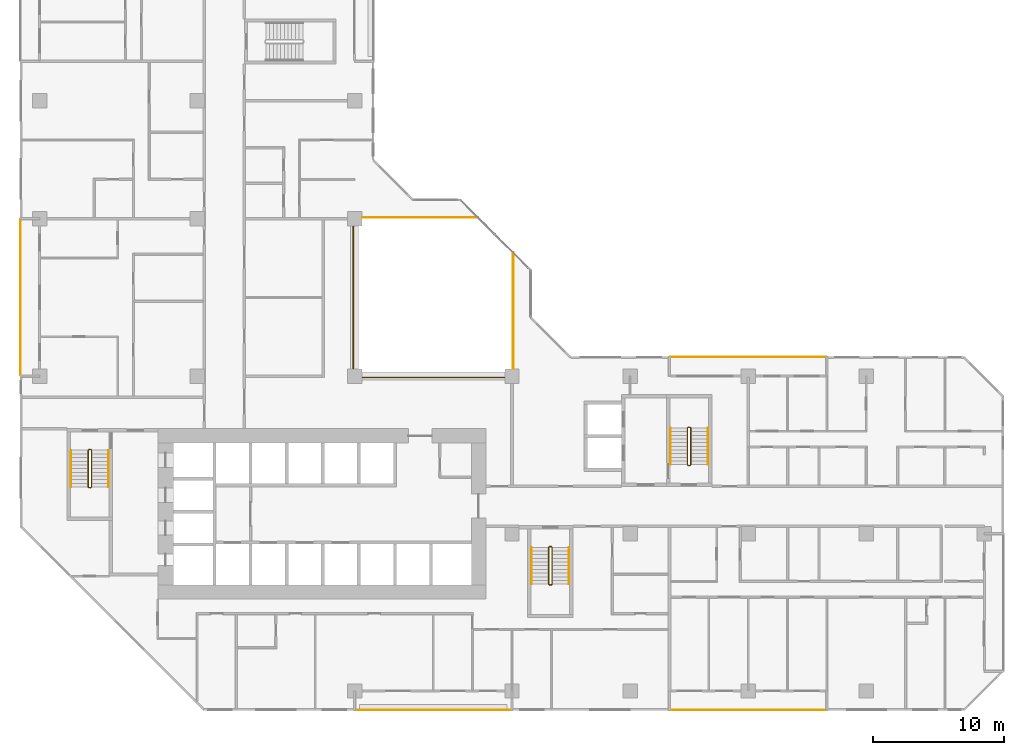
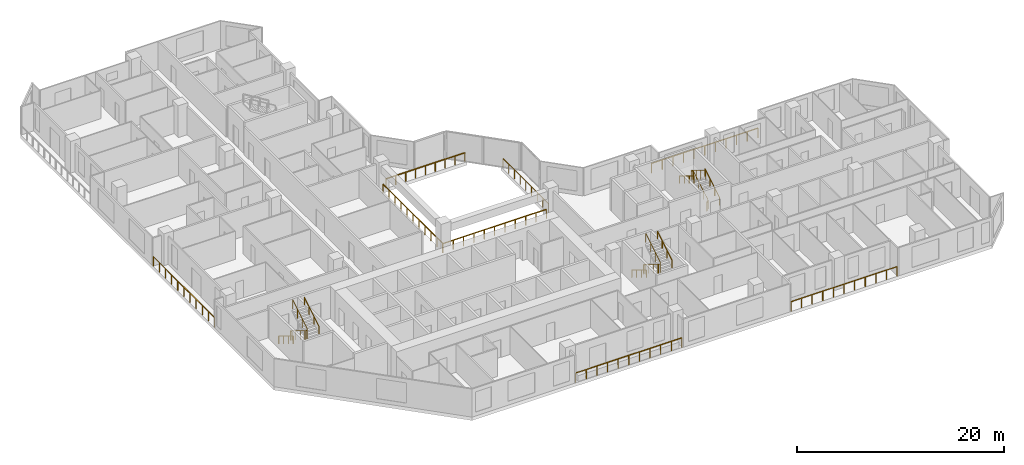
# One storey, part 15 of 16: 16 railings.
"""IFC4 building model written with IfcOpenShell, lengths in metres."""

from ifc_helpers import new_model, si_unit, direction, frame, origin, origin_2d, place, context, subcontext, project, spatial, rectangle, extrude, material, type_object, element, save


model = new_model("IFC4")

# Units and contexts
model_context = context("Model", 3, precision=1e-05, world=origin(), true_north=direction((0.0, 1.0)))
body_context = subcontext(model_context, "Body", "Model", "MODEL_VIEW")
ifc_project = project(units=[si_unit("LENGTHUNIT", "METRE"), si_unit("AREAUNIT", "SQUARE_METRE"), si_unit("VOLUMEUNIT", "CUBIC_METRE"), si_unit("PLANEANGLEUNIT", "RADIAN"), si_unit("MASSUNIT", "GRAM", prefix="KILO")], contexts=[model_context])

# Site, building, storey
site_placement = place(None, origin())
site = spatial("IfcSite", under=ifc_project, at=site_placement, CompositionType="ELEMENT")
building_placement = place(site_placement, origin())
building = spatial("IfcBuilding", under=site, at=building_placement, Name="Chenar Terraces", CompositionType="ELEMENT")
storey_placement = place(building_placement, frame((0.0, 0.0, 82.64990234375)))
storey = spatial("IfcBuildingStorey", under=building, at=storey_placement, Name="L18", CompositionType="ELEMENT", Elevation=82.64990234375)

# Railings
ifc_material_1 = material(Name="Powder-coated steel", Category="steel")
railing_type_1 = type_object("IfcRailingType", Name="Guard 1100 steel rail with glass infill", PredefinedType="GUARDRAIL", material=ifc_material_1)
railing_1_placement = place(storey_placement, frame((23.89990234375, 35.449951171875, 0.0)))
element("IfcRailing", 1, at=railing_1_placement, inside=storey, type_object=railing_type_1, Name="Guard L18-1", PredefinedType="GUARDRAIL", context=body_context, shape_type="SweptSolid", body=[
    extrude(rectangle(XDim=0.06005859375, YDim=0.06005859375, at=origin_2d()), frame((0.0, 0.0, 1.070068359375), z_axis=(0.0, -1.0, 0.0), x_axis=(1.0, 0.0, 0.0)), (0.0, 0.0, 1.0), 11.550048828125),
    extrude(rectangle(XDim=0.06005859375, YDim=0.06005859375, at=origin_2d()), frame((0.0, -11.550048828125, 1.070068359375), z_axis=(1.0, 0.0, 0.0), x_axis=(0.0, 1.0, 0.0)), (0.0, 0.0, 1.0), 11.550048828125),
    extrude(rectangle(XDim=0.050048828125, YDim=0.050048828125, at=origin_2d()), origin(), (0.0, 0.0, 1.0), 1.0400390625),
    extrude(rectangle(XDim=0.050048828125, YDim=0.050048828125, at=origin_2d()), frame((0.0, -1.155029296875, 0.0)), (0.0, 0.0, 1.0), 1.0400390625),
    extrude(rectangle(XDim=0.050048828125, YDim=0.050048828125, at=origin_2d()), frame((0.0, -2.31005859375, 0.0)), (0.0, 0.0, 1.0), 1.0400390625),
    extrude(rectangle(XDim=0.050048828125, YDim=0.050048828125, at=origin_2d()), frame((0.0, -3.465087890625, 0.0)), (0.0, 0.0, 1.0), 1.0400390625),
    extrude(rectangle(XDim=0.050048828125, YDim=0.050048828125, at=origin_2d()), frame((0.0, -4.6201171875, 0.0)), (0.0, 0.0, 1.0), 1.0400390625),
    extrude(rectangle(XDim=0.050048828125, YDim=0.050048828125, at=origin_2d()), frame((0.0, -5.77490234375, 0.0)), (0.0, 0.0, 1.0), 1.0400390625),
    extrude(rectangle(XDim=0.050048828125, YDim=0.050048828125, at=origin_2d()), frame((0.0, -6.929931640625, 0.0)), (0.0, 0.0, 1.0), 1.0400390625),
    extrude(rectangle(XDim=0.050048828125, YDim=0.050048828125, at=origin_2d()), frame((0.0, -8.0849609375, 0.0)), (0.0, 0.0, 1.0), 1.0400390625),
    extrude(rectangle(XDim=0.050048828125, YDim=0.050048828125, at=origin_2d()), frame((0.0, -9.239990234375, 0.0)), (0.0, 0.0, 1.0), 1.0400390625),
    extrude(rectangle(XDim=0.050048828125, YDim=0.050048828125, at=origin_2d()), frame((0.0, -10.39501953125, 0.0)), (0.0, 0.0, 1.0), 1.0400390625),
    extrude(rectangle(XDim=0.050048828125, YDim=0.050048828125, at=origin_2d()), frame((0.0, -11.550048828125, 0.0)), (0.0, 0.0, 1.0), 1.0400390625),
    extrude(rectangle(XDim=0.050048828125, YDim=0.050048828125, at=origin_2d()), frame((1.155029296875, -11.550048828125, 0.0)), (0.0, 0.0, 1.0), 1.0400390625),
    extrude(rectangle(XDim=0.050048828125, YDim=0.050048828125, at=origin_2d()), frame((2.31005859375, -11.550048828125, 0.0)), (0.0, 0.0, 1.0), 1.0400390625),
    extrude(rectangle(XDim=0.050048828125, YDim=0.050048828125, at=origin_2d()), frame((3.465087890625, -11.550048828125, 0.0)), (0.0, 0.0, 1.0), 1.0400390625),
    extrude(rectangle(XDim=0.050048828125, YDim=0.050048828125, at=origin_2d()), frame((4.6201171875, -11.550048828125, 0.0)), (0.0, 0.0, 1.0), 1.0400390625),
    extrude(rectangle(XDim=0.050048828125, YDim=0.050048828125, at=origin_2d()), frame((5.77490234375, -11.550048828125, 0.0)), (0.0, 0.0, 1.0), 1.0400390625),
    extrude(rectangle(XDim=0.050048828125, YDim=0.050048828125, at=origin_2d()), frame((6.929931640625, -11.550048828125, 0.0)), (0.0, 0.0, 1.0), 1.0400390625),
    extrude(rectangle(XDim=0.050048828125, YDim=0.050048828125, at=origin_2d()), frame((8.0849609375, -11.550048828125, 0.0)), (0.0, 0.0, 1.0), 1.0400390625),
    extrude(rectangle(XDim=0.050048828125, YDim=0.050048828125, at=origin_2d()), frame((9.239990234375, -11.550048828125, 0.0)), (0.0, 0.0, 1.0), 1.0400390625),
    extrude(rectangle(XDim=0.050048828125, YDim=0.050048828125, at=origin_2d()), frame((10.39501953125, -11.550048828125, 0.0)), (0.0, 0.0, 1.0), 1.0400390625),
    extrude(rectangle(XDim=0.050048828125, YDim=0.050048828125, at=origin_2d()), frame((11.550048828125, -11.550048828125, 0.0)), (0.0, 0.0, 1.0), 1.0400390625),
])
railing_2_placement = place(storey_placement, frame((24.60009765625, 36.10009765625, 0.0)))
element("IfcRailing", 2, at=railing_2_placement, inside=storey, type_object=railing_type_1, Name="Guard L18-2", PredefinedType="GUARDRAIL", context=body_context, shape_type="SweptSolid", body=[
    extrude(rectangle(XDim=0.06005859375, YDim=0.06005859375, at=origin_2d()), frame((0.0, 0.0, 1.070068359375), z_axis=(1.0, 0.0, 0.0), x_axis=(0.0, 1.0, 0.0)), (0.0, 0.0, 1.0), 8.7998046875),
    extrude(rectangle(XDim=0.050048828125, YDim=0.050048828125, at=origin_2d()), origin(), (0.0, 0.0, 1.0), 1.0400390625),
    extrude(rectangle(XDim=0.050048828125, YDim=0.050048828125, at=origin_2d()), frame((1.10009765625, 0.0, 0.0)), (0.0, 0.0, 1.0), 1.0400390625),
    extrude(rectangle(XDim=0.050048828125, YDim=0.050048828125, at=origin_2d()), frame((2.199951171875, 0.0, 0.0)), (0.0, 0.0, 1.0), 1.0400390625),
    extrude(rectangle(XDim=0.050048828125, YDim=0.050048828125, at=origin_2d()), frame((3.2998046875, 0.0, 0.0)), (0.0, 0.0, 1.0), 1.0400390625),
    extrude(rectangle(XDim=0.050048828125, YDim=0.050048828125, at=origin_2d()), frame((4.39990234375, 0.0, 0.0)), (0.0, 0.0, 1.0), 1.0400390625),
    extrude(rectangle(XDim=0.050048828125, YDim=0.050048828125, at=origin_2d()), frame((5.5, 0.0, 0.0)), (0.0, 0.0, 1.0), 1.0400390625),
    extrude(rectangle(XDim=0.050048828125, YDim=0.050048828125, at=origin_2d()), frame((6.599853515625, 0.0, 0.0)), (0.0, 0.0, 1.0), 1.0400390625),
    extrude(rectangle(XDim=0.050048828125, YDim=0.050048828125, at=origin_2d()), frame((7.69970703125, 0.0, 0.0)), (0.0, 0.0, 1.0), 1.0400390625),
    extrude(rectangle(XDim=0.050048828125, YDim=0.050048828125, at=origin_2d()), frame((8.7998046875, 0.0, 0.0)), (0.0, 0.0, 1.0), 1.0400390625),
])
railing_3_placement = place(storey_placement, frame((36.10009765625, 24.60009765625, 0.0)))
element("IfcRailing", 3, at=railing_3_placement, inside=storey, type_object=railing_type_1, Name="Guard L18-3", PredefinedType="GUARDRAIL", context=body_context, shape_type="SweptSolid", body=[
    extrude(rectangle(XDim=0.06005859375, YDim=0.06005859375, at=origin_2d()), frame((0.0, 0.0, 1.070068359375), z_axis=(0.0, 1.0, 0.0), x_axis=(-1.0, 0.0, 0.0)), (0.0, 0.0, 1.0), 8.7998046875),
    extrude(rectangle(XDim=0.050048828125, YDim=0.050048828125, at=origin_2d()), origin(), (0.0, 0.0, 1.0), 1.0400390625),
    extrude(rectangle(XDim=0.050048828125, YDim=0.050048828125, at=origin_2d()), frame((0.0, 1.10009765625, 0.0)), (0.0, 0.0, 1.0), 1.0400390625),
    extrude(rectangle(XDim=0.050048828125, YDim=0.050048828125, at=origin_2d()), frame((0.0, 2.199951171875, 0.0)), (0.0, 0.0, 1.0), 1.0400390625),
    extrude(rectangle(XDim=0.050048828125, YDim=0.050048828125, at=origin_2d()), frame((0.0, 3.2998046875, 0.0)), (0.0, 0.0, 1.0), 1.0400390625),
    extrude(rectangle(XDim=0.050048828125, YDim=0.050048828125, at=origin_2d()), frame((0.0, 4.39990234375, 0.0)), (0.0, 0.0, 1.0), 1.0400390625),
    extrude(rectangle(XDim=0.050048828125, YDim=0.050048828125, at=origin_2d()), frame((0.0, 5.5, 0.0)), (0.0, 0.0, 1.0), 1.0400390625),
    extrude(rectangle(XDim=0.050048828125, YDim=0.050048828125, at=origin_2d()), frame((0.0, 6.599853515625, 0.0)), (0.0, 0.0, 1.0), 1.0400390625),
    extrude(rectangle(XDim=0.050048828125, YDim=0.050048828125, at=origin_2d()), frame((0.0, 7.69970703125, 0.0)), (0.0, 0.0, 1.0), 1.0400390625),
    extrude(rectangle(XDim=0.050048828125, YDim=0.050048828125, at=origin_2d()), frame((0.0, 8.7998046875, 0.0)), (0.0, 0.0, 1.0), 1.0400390625),
])
ifc_material_2 = material(Name="Stainless steel and glass", Category="steel")
railing_type_2 = type_object("IfcRailingType", Name="Loggia guard 1150", PredefinedType="GUARDRAIL", material=ifc_material_2)
railing_4_placement = place(storey_placement, frame((59.925048828125, 25.449951171875, 0.0)))
element("IfcRailing", 4, at=railing_4_placement, inside=storey, type_object=railing_type_2, Name="Loggia guard", PredefinedType="GUARDRAIL", context=body_context, shape_type="SweptSolid", body=[
    extrude(rectangle(XDim=0.048095703125, YDim=0.048095703125, at=origin_2d()), frame((0.0, 0.0, 1.1259765625), z_axis=(-1.0, 0.0, 0.0), x_axis=(0.0, -1.0, 0.0)), (0.0, 0.0, 1.0), 11.85009765625),
    extrude(rectangle(XDim=0.0419921875, YDim=0.0419921875, at=origin_2d()), origin(), (0.0, 0.0, 1.0), 1.101806640625),
    extrude(rectangle(XDim=0.0419921875, YDim=0.0419921875, at=origin_2d()), frame((-1.18505859375, 0.0, 0.0)), (0.0, 0.0, 1.0), 1.101806640625),
    extrude(rectangle(XDim=0.0419921875, YDim=0.0419921875, at=origin_2d()), frame((-2.3701171875, 0.0, 0.0)), (0.0, 0.0, 1.0), 1.101806640625),
    extrude(rectangle(XDim=0.0419921875, YDim=0.0419921875, at=origin_2d()), frame((-3.554931640625, 0.0, 0.0)), (0.0, 0.0, 1.0), 1.101806640625),
    extrude(rectangle(XDim=0.0419921875, YDim=0.0419921875, at=origin_2d()), frame((-4.739990234375, 0.0, 0.0)), (0.0, 0.0, 1.0), 1.101806640625),
    extrude(rectangle(XDim=0.0419921875, YDim=0.0419921875, at=origin_2d()), frame((-5.925048828125, 0.0, 0.0)), (0.0, 0.0, 1.0), 1.101806640625),
    extrude(rectangle(XDim=0.0419921875, YDim=0.0419921875, at=origin_2d()), frame((-7.110107421875, 0.0, 0.0)), (0.0, 0.0, 1.0), 1.101806640625),
    extrude(rectangle(XDim=0.0419921875, YDim=0.0419921875, at=origin_2d()), frame((-8.295166015625, 0.0, 0.0)), (0.0, 0.0, 1.0), 1.101806640625),
    extrude(rectangle(XDim=0.0419921875, YDim=0.0419921875, at=origin_2d()), frame((-9.47998046875, 0.0, 0.0)), (0.0, 0.0, 1.0), 1.101806640625),
    extrude(rectangle(XDim=0.0419921875, YDim=0.0419921875, at=origin_2d()), frame((-10.6650390625, 0.0, 0.0)), (0.0, 0.0, 1.0), 1.101806640625),
    extrude(rectangle(XDim=0.0419921875, YDim=0.0419921875, at=origin_2d()), frame((-11.85009765625, 0.0, 0.0)), (0.0, 0.0, 1.0), 1.101806640625),
])
railing_5_placement = place(storey_placement, frame((24.074951171875, -1.449951171875, 0.0)))
element("IfcRailing", 5, at=railing_5_placement, inside=storey, type_object=railing_type_2, Name="Loggia guard", PredefinedType="GUARDRAIL", context=body_context, shape_type="SweptSolid", body=[
    extrude(rectangle(XDim=0.048095703125, YDim=0.048095703125, at=origin_2d()), frame((0.0, 0.0, 1.1259765625), z_axis=(1.0, 0.0, 0.0), x_axis=(0.0, 1.0, 0.0)), (0.0, 0.0, 1.0), 11.85009765625),
    extrude(rectangle(XDim=0.0419921875, YDim=0.0419921875, at=origin_2d()), origin(), (0.0, 0.0, 1.0), 1.101806640625),
    extrude(rectangle(XDim=0.0419921875, YDim=0.0419921875, at=origin_2d()), frame((1.18505859375, 0.0, 0.0)), (0.0, 0.0, 1.0), 1.101806640625),
    extrude(rectangle(XDim=0.0419921875, YDim=0.0419921875, at=origin_2d()), frame((2.3701171875, 0.0, 0.0)), (0.0, 0.0, 1.0), 1.101806640625),
    extrude(rectangle(XDim=0.0419921875, YDim=0.0419921875, at=origin_2d()), frame((3.554931640625, 0.0, 0.0)), (0.0, 0.0, 1.0), 1.101806640625),
    extrude(rectangle(XDim=0.0419921875, YDim=0.0419921875, at=origin_2d()), frame((4.739990234375, 0.0, 0.0)), (0.0, 0.0, 1.0), 1.101806640625),
    extrude(rectangle(XDim=0.0419921875, YDim=0.0419921875, at=origin_2d()), frame((5.925048828125, 0.0, 0.0)), (0.0, 0.0, 1.0), 1.101806640625),
    extrude(rectangle(XDim=0.0419921875, YDim=0.0419921875, at=origin_2d()), frame((7.110107421875, 0.0, 0.0)), (0.0, 0.0, 1.0), 1.101806640625),
    extrude(rectangle(XDim=0.0419921875, YDim=0.0419921875, at=origin_2d()), frame((8.295166015625, 0.0, 0.0)), (0.0, 0.0, 1.0), 1.101806640625),
    extrude(rectangle(XDim=0.0419921875, YDim=0.0419921875, at=origin_2d()), frame((9.47998046875, 0.0, 0.0)), (0.0, 0.0, 1.0), 1.101806640625),
    extrude(rectangle(XDim=0.0419921875, YDim=0.0419921875, at=origin_2d()), frame((10.6650390625, 0.0, 0.0)), (0.0, 0.0, 1.0), 1.101806640625),
    extrude(rectangle(XDim=0.0419921875, YDim=0.0419921875, at=origin_2d()), frame((11.85009765625, 0.0, 0.0)), (0.0, 0.0, 1.0), 1.101806640625),
])
railing_6_placement = place(storey_placement, frame((48.074951171875, -1.449951171875, 0.0)))
element("IfcRailing", 6, at=railing_6_placement, inside=storey, type_object=railing_type_2, Name="Loggia guard", PredefinedType="GUARDRAIL", context=body_context, shape_type="SweptSolid", body=[
    extrude(rectangle(XDim=0.048095703125, YDim=0.048095703125, at=origin_2d()), frame((0.0, 0.0, 1.1259765625), z_axis=(1.0, 0.0, 0.0), x_axis=(0.0, 1.0, 0.0)), (0.0, 0.0, 1.0), 11.85009765625),
    extrude(rectangle(XDim=0.0419921875, YDim=0.0419921875, at=origin_2d()), origin(), (0.0, 0.0, 1.0), 1.101806640625),
    extrude(rectangle(XDim=0.0419921875, YDim=0.0419921875, at=origin_2d()), frame((1.18505859375, 0.0, 0.0)), (0.0, 0.0, 1.0), 1.101806640625),
    extrude(rectangle(XDim=0.0419921875, YDim=0.0419921875, at=origin_2d()), frame((2.3701171875, 0.0, 0.0)), (0.0, 0.0, 1.0), 1.101806640625),
    extrude(rectangle(XDim=0.0419921875, YDim=0.0419921875, at=origin_2d()), frame((3.554931640625, 0.0, 0.0)), (0.0, 0.0, 1.0), 1.101806640625),
    extrude(rectangle(XDim=0.0419921875, YDim=0.0419921875, at=origin_2d()), frame((4.739990234375, 0.0, 0.0)), (0.0, 0.0, 1.0), 1.101806640625),
    extrude(rectangle(XDim=0.0419921875, YDim=0.0419921875, at=origin_2d()), frame((5.925048828125, 0.0, 0.0)), (0.0, 0.0, 1.0), 1.101806640625),
    extrude(rectangle(XDim=0.0419921875, YDim=0.0419921875, at=origin_2d()), frame((7.110107421875, 0.0, 0.0)), (0.0, 0.0, 1.0), 1.101806640625),
    extrude(rectangle(XDim=0.0419921875, YDim=0.0419921875, at=origin_2d()), frame((8.295166015625, 0.0, 0.0)), (0.0, 0.0, 1.0), 1.101806640625),
    extrude(rectangle(XDim=0.0419921875, YDim=0.0419921875, at=origin_2d()), frame((9.47998046875, 0.0, 0.0)), (0.0, 0.0, 1.0), 1.101806640625),
    extrude(rectangle(XDim=0.0419921875, YDim=0.0419921875, at=origin_2d()), frame((10.6650390625, 0.0, 0.0)), (0.0, 0.0, 1.0), 1.101806640625),
    extrude(rectangle(XDim=0.0419921875, YDim=0.0419921875, at=origin_2d()), frame((11.85009765625, 0.0, 0.0)), (0.0, 0.0, 1.0), 1.101806640625),
])
railing_7_placement = place(storey_placement, frame((-1.449951171875, 35.925048828125, 0.0)))
element("IfcRailing", 7, at=railing_7_placement, inside=storey, type_object=railing_type_2, Name="Loggia guard", PredefinedType="GUARDRAIL", context=body_context, shape_type="SweptSolid", body=[
    extrude(rectangle(XDim=0.048095703125, YDim=0.048095703125, at=origin_2d()), frame((0.0, 0.0, 1.1259765625), z_axis=(0.0, -1.0, 0.0), x_axis=(1.0, 0.0, 0.0)), (0.0, 0.0, 1.0), 11.85009765625),
    extrude(rectangle(XDim=0.0419921875, YDim=0.0419921875, at=origin_2d()), origin(), (0.0, 0.0, 1.0), 1.101806640625),
    extrude(rectangle(XDim=0.0419921875, YDim=0.0419921875, at=origin_2d()), frame((0.0, -1.18505859375, 0.0)), (0.0, 0.0, 1.0), 1.101806640625),
    extrude(rectangle(XDim=0.0419921875, YDim=0.0419921875, at=origin_2d()), frame((0.0, -2.3701171875, 0.0)), (0.0, 0.0, 1.0), 1.101806640625),
    extrude(rectangle(XDim=0.0419921875, YDim=0.0419921875, at=origin_2d()), frame((0.0, -3.554931640625, 0.0)), (0.0, 0.0, 1.0), 1.101806640625),
    extrude(rectangle(XDim=0.0419921875, YDim=0.0419921875, at=origin_2d()), frame((0.0, -4.739990234375, 0.0)), (0.0, 0.0, 1.0), 1.101806640625),
    extrude(rectangle(XDim=0.0419921875, YDim=0.0419921875, at=origin_2d()), frame((0.0, -5.925048828125, 0.0)), (0.0, 0.0, 1.0), 1.101806640625),
    extrude(rectangle(XDim=0.0419921875, YDim=0.0419921875, at=origin_2d()), frame((0.0, -7.110107421875, 0.0)), (0.0, 0.0, 1.0), 1.101806640625),
    extrude(rectangle(XDim=0.0419921875, YDim=0.0419921875, at=origin_2d()), frame((0.0, -8.295166015625, 0.0)), (0.0, 0.0, 1.0), 1.101806640625),
    extrude(rectangle(XDim=0.0419921875, YDim=0.0419921875, at=origin_2d()), frame((0.0, -9.47998046875, 0.0)), (0.0, 0.0, 1.0), 1.101806640625),
    extrude(rectangle(XDim=0.0419921875, YDim=0.0419921875, at=origin_2d()), frame((0.0, -10.6650390625, 0.0)), (0.0, 0.0, 1.0), 1.101806640625),
    extrude(rectangle(XDim=0.0419921875, YDim=0.0419921875, at=origin_2d()), frame((0.0, -11.85009765625, 0.0)), (0.0, 0.0, 1.0), 1.101806640625),
])
ifc_material_3 = material(Name="Powder-coated steel", Category="steel")
railing_type_3 = type_object("IfcRailingType", Name="Stair guard 1100", PredefinedType="GUARDRAIL", material=ifc_material_3)
railing_8_placement = place(storey_placement, frame((3.949951171875, 18.35009765625, 3.75)))
element("IfcRailing", 8, at=railing_8_placement, inside=storey, type_object=railing_type_3, Name="L18 ST1 stair guard 1", PredefinedType="GUARDRAIL", context=body_context, shape_type="SweptSolid", body=[
    extrude(rectangle(XDim=0.048095703125, YDim=0.048095703125, at=origin_2d()), frame((0.0, 0.0, 1.076171875), z_axis=(0.0, -0.854202870247, -0.519939858505), x_axis=(1.0, 0.0, 0.0)), (0.0, 0.0, 1.0), 3.278076171875),
    extrude(rectangle(XDim=0.048095703125, YDim=0.048095703125, at=origin_2d()), frame((0.0, -2.800048828125, -0.62841796875), z_axis=(-0.270899902878, -0.270899902878, -0.923702595667), x_axis=(0.707106781187, -0.707106781187, 0.0)), (0.0, 0.0, 1.0), 0.184814453125),
    extrude(rectangle(XDim=0.048095703125, YDim=0.048095703125, at=origin_2d()), frame((-0.050048828125, -2.85009765625, -0.798828125), z_axis=(-1.0, 0.0, 0.0), x_axis=(0.0, -1.0, 0.0)), (0.0, 0.0, 1.0), 0.14990234375),
    extrude(rectangle(XDim=0.048095703125, YDim=0.048095703125, at=origin_2d()), frame((-0.199951171875, -2.85009765625, -0.798828125), z_axis=(-0.707106781187, 0.707106781187, 0.0), x_axis=(-0.707106781187, -0.707106781187, 0.0)), (0.0, 0.0, 1.0), 0.07080078125),
    extrude(rectangle(XDim=0.048095703125, YDim=0.048095703125, at=origin_2d()), frame((-0.25, -2.800048828125, -0.798828125), z_axis=(0.0, 0.854202870247, -0.519939858505), x_axis=(-1.0, 0.0, 0.0)), (0.0, 0.0, 1.0), 3.278076171875),
    extrude(rectangle(XDim=0.048095703125, YDim=0.048095703125, at=origin_2d()), frame((-0.25, 0.0, -2.50341796875), z_axis=(0.270996696079, 0.269674760976, -0.924032636873), x_axis=(-0.705375805398, 0.708833529934, 0.0)), (0.0, 0.0, 1.0), 0.1845703125),
    extrude(rectangle(XDim=0.048095703125, YDim=0.048095703125, at=origin_2d()), frame((-0.199951171875, 0.0498046875, -2.673828125), z_axis=(1.0, 0.0, 0.0), x_axis=(0.0, 1.0, 0.0)), (0.0, 0.0, 1.0), 0.14990234375),
    extrude(rectangle(XDim=0.0419921875, YDim=0.0419921875, at=origin_2d()), origin(), (0.0, 0.0, 1.0), 1.052001953125),
    extrude(rectangle(XDim=0.0419921875, YDim=0.0419921875, at=origin_2d()), frame((0.0, -0.933349609375, -0.568115234375)), (0.0, 0.0, 1.0), 1.052001953125),
    extrude(rectangle(XDim=0.0419921875, YDim=0.0419921875, at=origin_2d()), frame((0.0, -1.86669921875, -1.13623046875)), (0.0, 0.0, 1.0), 1.052001953125),
    extrude(rectangle(XDim=0.0419921875, YDim=0.0419921875, at=origin_2d()), frame((0.0, -2.800048828125, -1.704345703125)), (0.0, 0.0, 1.0), 1.052001953125),
    extrude(rectangle(XDim=0.0419921875, YDim=0.0419921875, at=origin_2d()), frame((-0.050048828125, -2.85009765625, -1.875)), (0.0, 0.0, 1.0), 1.052001953125),
    extrude(rectangle(XDim=0.0419921875, YDim=0.0419921875, at=origin_2d()), frame((-0.199951171875, -2.85009765625, -1.875)), (0.0, 0.0, 1.0), 1.052001953125),
    extrude(rectangle(XDim=0.0419921875, YDim=0.0419921875, at=origin_2d()), frame((-0.25, -2.800048828125, -1.875)), (0.0, 0.0, 1.0), 1.052001953125),
    extrude(rectangle(XDim=0.0419921875, YDim=0.0419921875, at=origin_2d()), frame((-0.25, -1.86669921875, -2.443115234375)), (0.0, 0.0, 1.0), 1.052001953125),
    extrude(rectangle(XDim=0.0419921875, YDim=0.0419921875, at=origin_2d()), frame((-0.25, -0.933349609375, -3.01123046875)), (0.0, 0.0, 1.0), 1.052001953125),
    extrude(rectangle(XDim=0.0419921875, YDim=0.0419921875, at=origin_2d()), frame((-0.25, 0.0, -3.579345703125)), (0.0, 0.0, 1.0), 1.052001953125),
    extrude(rectangle(XDim=0.0419921875, YDim=0.0419921875, at=origin_2d()), frame((-0.199951171875, 0.0498046875, -3.75)), (0.0, 0.0, 1.0), 1.052001953125),
    extrude(rectangle(XDim=0.0419921875, YDim=0.0419921875, at=origin_2d()), frame((-0.050048828125, 0.0498046875, -3.75)), (0.0, 0.0, 1.0), 1.052001953125),
])
railing_9_placement = place(storey_placement, frame((39.050048828125, 10.949951171875, 3.75)))
element("IfcRailing", 9, at=railing_9_placement, inside=storey, type_object=railing_type_3, Name="L18 ST2 stair guard 1", PredefinedType="GUARDRAIL", context=body_context, shape_type="SweptSolid", body=[
    extrude(rectangle(XDim=0.048095703125, YDim=0.048095703125, at=origin_2d()), frame((0.0, 0.0, 1.076171875), z_axis=(0.0, -0.854202870247, -0.519939858505), x_axis=(1.0, 0.0, 0.0)), (0.0, 0.0, 1.0), 3.278076171875),
    extrude(rectangle(XDim=0.048095703125, YDim=0.048095703125, at=origin_2d()), frame((0.0, -2.800048828125, -0.62841796875), z_axis=(-0.270996696079, -0.269674760976, -0.924032636873), x_axis=(0.705375805398, -0.708833529934, 0.0)), (0.0, 0.0, 1.0), 0.1845703125),
    extrude(rectangle(XDim=0.048095703125, YDim=0.048095703125, at=origin_2d()), frame((-0.050048828125, -2.849853515625, -0.798828125), z_axis=(-1.0, 0.0, 0.0), x_axis=(0.0, -1.0, 0.0)), (0.0, 0.0, 1.0), 0.14990234375),
    extrude(rectangle(XDim=0.048095703125, YDim=0.048095703125, at=origin_2d()), frame((-0.199951171875, -2.849853515625, -0.798828125), z_axis=(-0.708833529934, 0.705375805398, 0.0), x_axis=(-0.705375805398, -0.708833529934, 0.0)), (0.0, 0.0, 1.0), 0.070556640625),
    extrude(rectangle(XDim=0.048095703125, YDim=0.048095703125, at=origin_2d()), frame((-0.25, -2.800048828125, -0.798828125), z_axis=(0.0, 0.854202870247, -0.519939858505), x_axis=(-1.0, 0.0, 0.0)), (0.0, 0.0, 1.0), 3.278076171875),
    extrude(rectangle(XDim=0.048095703125, YDim=0.048095703125, at=origin_2d()), frame((-0.25, 0.0, -2.50341796875), z_axis=(0.270899902878, 0.270899902878, -0.923702595667), x_axis=(-0.707106781187, 0.707106781187, 0.0)), (0.0, 0.0, 1.0), 0.184814453125),
    extrude(rectangle(XDim=0.048095703125, YDim=0.048095703125, at=origin_2d()), frame((-0.199951171875, 0.050048828125, -2.673828125), z_axis=(1.0, 0.0, 0.0), x_axis=(0.0, 1.0, 0.0)), (0.0, 0.0, 1.0), 0.14990234375),
    extrude(rectangle(XDim=0.0419921875, YDim=0.0419921875, at=origin_2d()), origin(), (0.0, 0.0, 1.0), 1.052001953125),
    extrude(rectangle(XDim=0.0419921875, YDim=0.0419921875, at=origin_2d()), frame((0.0, -0.933349609375, -0.568115234375)), (0.0, 0.0, 1.0), 1.052001953125),
    extrude(rectangle(XDim=0.0419921875, YDim=0.0419921875, at=origin_2d()), frame((0.0, -1.86669921875, -1.13623046875)), (0.0, 0.0, 1.0), 1.052001953125),
    extrude(rectangle(XDim=0.0419921875, YDim=0.0419921875, at=origin_2d()), frame((0.0, -2.800048828125, -1.704345703125)), (0.0, 0.0, 1.0), 1.052001953125),
    extrude(rectangle(XDim=0.0419921875, YDim=0.0419921875, at=origin_2d()), frame((-0.050048828125, -2.849853515625, -1.875)), (0.0, 0.0, 1.0), 1.052001953125),
    extrude(rectangle(XDim=0.0419921875, YDim=0.0419921875, at=origin_2d()), frame((-0.199951171875, -2.849853515625, -1.875)), (0.0, 0.0, 1.0), 1.052001953125),
    extrude(rectangle(XDim=0.0419921875, YDim=0.0419921875, at=origin_2d()), frame((-0.25, -2.800048828125, -1.875)), (0.0, 0.0, 1.0), 1.052001953125),
    extrude(rectangle(XDim=0.0419921875, YDim=0.0419921875, at=origin_2d()), frame((-0.25, -1.86669921875, -2.443115234375)), (0.0, 0.0, 1.0), 1.052001953125),
    extrude(rectangle(XDim=0.0419921875, YDim=0.0419921875, at=origin_2d()), frame((-0.25, -0.933349609375, -3.01123046875)), (0.0, 0.0, 1.0), 1.052001953125),
    extrude(rectangle(XDim=0.0419921875, YDim=0.0419921875, at=origin_2d()), frame((-0.25, 0.0, -3.579345703125)), (0.0, 0.0, 1.0), 1.052001953125),
    extrude(rectangle(XDim=0.0419921875, YDim=0.0419921875, at=origin_2d()), frame((-0.199951171875, 0.050048828125, -3.75)), (0.0, 0.0, 1.0), 1.052001953125),
    extrude(rectangle(XDim=0.0419921875, YDim=0.0419921875, at=origin_2d()), frame((-0.050048828125, 0.050048828125, -3.75)), (0.0, 0.0, 1.0), 1.052001953125),
])
railing_10_placement = place(storey_placement, frame((49.375, 17.25, 3.75)))
element("IfcRailing", 10, at=railing_10_placement, inside=storey, type_object=railing_type_3, Name="L18 ST3 stair guard 1", PredefinedType="GUARDRAIL", context=body_context, shape_type="SweptSolid", body=[
    extrude(rectangle(XDim=0.048095703125, YDim=0.048095703125, at=origin_2d()), frame((0.0, 0.0, 1.076171875), z_axis=(0.0, 0.854202870247, -0.519939858505), x_axis=(-1.0, 0.0, 0.0)), (0.0, 0.0, 1.0), 3.278076171875),
    extrude(rectangle(XDim=0.048095703125, YDim=0.048095703125, at=origin_2d()), frame((0.0, 2.800048828125, -0.62841796875), z_axis=(0.270899902878, 0.270899902878, -0.923702595667), x_axis=(-0.707106781187, 0.707106781187, 0.0)), (0.0, 0.0, 1.0), 0.184814453125),
    extrude(rectangle(XDim=0.048095703125, YDim=0.048095703125, at=origin_2d()), frame((0.050048828125, 2.85009765625, -0.798828125), z_axis=(1.0, 0.0, 0.0), x_axis=(0.0, 1.0, 0.0)), (0.0, 0.0, 1.0), 0.14990234375),
    extrude(rectangle(XDim=0.048095703125, YDim=0.048095703125, at=origin_2d()), frame((0.199951171875, 2.85009765625, -0.798828125), z_axis=(0.707106781187, -0.707106781187, 0.0), x_axis=(0.707106781187, 0.707106781187, 0.0)), (0.0, 0.0, 1.0), 0.07080078125),
    extrude(rectangle(XDim=0.048095703125, YDim=0.048095703125, at=origin_2d()), frame((0.25, 2.800048828125, -0.798828125), z_axis=(0.0, -0.854202870247, -0.519939858505), x_axis=(1.0, 0.0, 0.0)), (0.0, 0.0, 1.0), 3.278076171875),
    extrude(rectangle(XDim=0.048095703125, YDim=0.048095703125, at=origin_2d()), frame((0.25, 0.0, -2.50341796875), z_axis=(-0.270899902878, -0.270899902878, -0.923702595667), x_axis=(0.707106781187, -0.707106781187, 0.0)), (0.0, 0.0, 1.0), 0.184814453125),
    extrude(rectangle(XDim=0.048095703125, YDim=0.048095703125, at=origin_2d()), frame((0.199951171875, -0.050048828125, -2.673828125), z_axis=(-1.0, 0.0, 0.0), x_axis=(0.0, -1.0, 0.0)), (0.0, 0.0, 1.0), 0.14990234375),
    extrude(rectangle(XDim=0.0419921875, YDim=0.0419921875, at=origin_2d()), origin(), (0.0, 0.0, 1.0), 1.052001953125),
    extrude(rectangle(XDim=0.0419921875, YDim=0.0419921875, at=origin_2d()), frame((0.0, 0.933349609375, -0.568115234375)), (0.0, 0.0, 1.0), 1.052001953125),
    extrude(rectangle(XDim=0.0419921875, YDim=0.0419921875, at=origin_2d()), frame((0.0, 1.86669921875, -1.13623046875)), (0.0, 0.0, 1.0), 1.052001953125),
    extrude(rectangle(XDim=0.0419921875, YDim=0.0419921875, at=origin_2d()), frame((0.0, 2.800048828125, -1.704345703125)), (0.0, 0.0, 1.0), 1.052001953125),
    extrude(rectangle(XDim=0.0419921875, YDim=0.0419921875, at=origin_2d()), frame((0.050048828125, 2.85009765625, -1.875)), (0.0, 0.0, 1.0), 1.052001953125),
    extrude(rectangle(XDim=0.0419921875, YDim=0.0419921875, at=origin_2d()), frame((0.199951171875, 2.85009765625, -1.875)), (0.0, 0.0, 1.0), 1.052001953125),
    extrude(rectangle(XDim=0.0419921875, YDim=0.0419921875, at=origin_2d()), frame((0.25, 2.800048828125, -1.875)), (0.0, 0.0, 1.0), 1.052001953125),
    extrude(rectangle(XDim=0.0419921875, YDim=0.0419921875, at=origin_2d()), frame((0.25, 1.86669921875, -2.443115234375)), (0.0, 0.0, 1.0), 1.052001953125),
    extrude(rectangle(XDim=0.0419921875, YDim=0.0419921875, at=origin_2d()), frame((0.25, 0.933349609375, -3.01123046875)), (0.0, 0.0, 1.0), 1.052001953125),
    extrude(rectangle(XDim=0.0419921875, YDim=0.0419921875, at=origin_2d()), frame((0.25, 0.0, -3.579345703125)), (0.0, 0.0, 1.0), 1.052001953125),
    extrude(rectangle(XDim=0.0419921875, YDim=0.0419921875, at=origin_2d()), frame((0.199951171875, -0.050048828125, -3.75)), (0.0, 0.0, 1.0), 1.052001953125),
    extrude(rectangle(XDim=0.0419921875, YDim=0.0419921875, at=origin_2d()), frame((0.050048828125, -0.050048828125, -3.75)), (0.0, 0.0, 1.0), 1.052001953125),
])
ifc_material_4 = material(Name="Powder-coated steel", Category="steel")
railing_type_4 = type_object("IfcRailingType", Name="Stair handrail 900", PredefinedType="HANDRAIL", material=ifc_material_4)
railing_11_placement = place(storey_placement, frame((2.39990234375, 18.35009765625, 0.170654296875)))
element("IfcRailing", 11, at=railing_11_placement, inside=storey, type_object=railing_type_4, Name="L18 ST1 stair handrail 1", PredefinedType="HANDRAIL", context=body_context, shape_type="SweptSolid", body=[
    extrude(rectangle(XDim=0.048095703125, YDim=0.048095703125, at=origin_2d()), frame((0.0, 0.0, 0.8759765625), z_axis=(0.0, -0.854202870247, 0.519939858505), x_axis=(1.0, 0.0, 0.0)), (0.0, 0.0, 1.0), 3.278076171875),
    extrude(rectangle(XDim=0.0419921875, YDim=0.0419921875, at=origin_2d()), origin(), (0.0, 0.0, 1.0), 0.851806640625),
    extrude(rectangle(XDim=0.0419921875, YDim=0.0419921875, at=origin_2d()), frame((0.0, -0.933349609375, 0.568115234375)), (0.0, 0.0, 1.0), 0.851806640625),
    extrude(rectangle(XDim=0.0419921875, YDim=0.0419921875, at=origin_2d()), frame((0.0, -1.86669921875, 1.13623046875)), (0.0, 0.0, 1.0), 0.851806640625),
    extrude(rectangle(XDim=0.0419921875, YDim=0.0419921875, at=origin_2d()), frame((0.0, -2.800048828125, 1.704345703125)), (0.0, 0.0, 1.0), 0.851806640625),
])
railing_12_placement = place(storey_placement, frame((5.25, 15.550048828125, 2.045654296875)))
element("IfcRailing", 12, at=railing_12_placement, inside=storey, type_object=railing_type_4, Name="L18 ST1 stair handrail 2", PredefinedType="HANDRAIL", context=body_context, shape_type="SweptSolid", body=[
    extrude(rectangle(XDim=0.048095703125, YDim=0.048095703125, at=origin_2d()), frame((0.0, 0.0, 0.8759765625), z_axis=(0.0, 0.854202870247, 0.519939858505), x_axis=(-1.0, 0.0, 0.0)), (0.0, 0.0, 1.0), 3.278076171875),
    extrude(rectangle(XDim=0.0419921875, YDim=0.0419921875, at=origin_2d()), origin(), (0.0, 0.0, 1.0), 0.851806640625),
    extrude(rectangle(XDim=0.0419921875, YDim=0.0419921875, at=origin_2d()), frame((0.0, 0.933349609375, 0.568115234375)), (0.0, 0.0, 1.0), 0.851806640625),
    extrude(rectangle(XDim=0.0419921875, YDim=0.0419921875, at=origin_2d()), frame((0.0, 1.86669921875, 1.13623046875)), (0.0, 0.0, 1.0), 0.851806640625),
    extrude(rectangle(XDim=0.0419921875, YDim=0.0419921875, at=origin_2d()), frame((0.0, 2.800048828125, 1.704345703125)), (0.0, 0.0, 1.0), 0.851806640625),
])
railing_13_placement = place(storey_placement, frame((37.5, 10.949951171875, 0.170654296875)))
element("IfcRailing", 13, at=railing_13_placement, inside=storey, type_object=railing_type_4, Name="L18 ST2 stair handrail 1", PredefinedType="HANDRAIL", context=body_context, shape_type="SweptSolid", body=[
    extrude(rectangle(XDim=0.048095703125, YDim=0.048095703125, at=origin_2d()), frame((0.0, 0.0, 0.8759765625), z_axis=(0.0, -0.854202870247, 0.519939858505), x_axis=(1.0, 0.0, 0.0)), (0.0, 0.0, 1.0), 3.278076171875),
    extrude(rectangle(XDim=0.0419921875, YDim=0.0419921875, at=origin_2d()), origin(), (0.0, 0.0, 1.0), 0.851806640625),
    extrude(rectangle(XDim=0.0419921875, YDim=0.0419921875, at=origin_2d()), frame((0.0, -0.933349609375, 0.568115234375)), (0.0, 0.0, 1.0), 0.851806640625),
    extrude(rectangle(XDim=0.0419921875, YDim=0.0419921875, at=origin_2d()), frame((0.0, -1.86669921875, 1.13623046875)), (0.0, 0.0, 1.0), 0.851806640625),
    extrude(rectangle(XDim=0.0419921875, YDim=0.0419921875, at=origin_2d()), frame((0.0, -2.800048828125, 1.704345703125)), (0.0, 0.0, 1.0), 0.851806640625),
])
for number, where, name in (
    (14, (40.35009765625, 8.14990234375, 2.045654296875), "L18 ST2 stair handrail 2"),
    (15, (50.925048828125, 17.25, 0.170654296875), "L18 ST3 stair handrail 1"),
):
    element("IfcRailing", number, at=place(storey_placement, frame(where)), inside=storey, type_object=railing_type_4, Name=name, PredefinedType="HANDRAIL", context=body_context, shape_type="SweptSolid", body=[
        extrude(rectangle(XDim=0.048095703125, YDim=0.048095703125, at=origin_2d()), frame((0.0, 0.0, 0.8759765625), z_axis=(0.0, 0.854202870247, 0.519939858505), x_axis=(-1.0, 0.0, 0.0)), (0.0, 0.0, 1.0), 3.278076171875),
        extrude(rectangle(XDim=0.0419921875, YDim=0.0419921875, at=origin_2d()), origin(), (0.0, 0.0, 1.0), 0.851806640625),
        extrude(rectangle(XDim=0.0419921875, YDim=0.0419921875, at=origin_2d()), frame((0.0, 0.933349609375, 0.568115234375)), (0.0, 0.0, 1.0), 0.851806640625),
        extrude(rectangle(XDim=0.0419921875, YDim=0.0419921875, at=origin_2d()), frame((0.0, 1.86669921875, 1.13623046875)), (0.0, 0.0, 1.0), 0.851806640625),
        extrude(rectangle(XDim=0.0419921875, YDim=0.0419921875, at=origin_2d()), frame((0.0, 2.800048828125, 1.704345703125)), (0.0, 0.0, 1.0), 0.851806640625),
    ])
railing_14_placement = place(storey_placement, frame((48.074951171875, 20.050048828125, 2.045654296875)))
element("IfcRailing", 16, at=railing_14_placement, inside=storey, type_object=railing_type_4, Name="L18 ST3 stair handrail 2", PredefinedType="HANDRAIL", context=body_context, shape_type="SweptSolid", body=[
    extrude(rectangle(XDim=0.048095703125, YDim=0.048095703125, at=origin_2d()), frame((0.0, 0.0, 0.8759765625), z_axis=(0.0, -0.854202870247, 0.519939858505), x_axis=(1.0, 0.0, 0.0)), (0.0, 0.0, 1.0), 3.278076171875),
    extrude(rectangle(XDim=0.0419921875, YDim=0.0419921875, at=origin_2d()), origin(), (0.0, 0.0, 1.0), 0.851806640625),
    extrude(rectangle(XDim=0.0419921875, YDim=0.0419921875, at=origin_2d()), frame((0.0, -0.933349609375, 0.568115234375)), (0.0, 0.0, 1.0), 0.851806640625),
    extrude(rectangle(XDim=0.0419921875, YDim=0.0419921875, at=origin_2d()), frame((0.0, -1.86669921875, 1.13623046875)), (0.0, 0.0, 1.0), 0.851806640625),
    extrude(rectangle(XDim=0.0419921875, YDim=0.0419921875, at=origin_2d()), frame((0.0, -2.800048828125, 1.704345703125)), (0.0, 0.0, 1.0), 0.851806640625),
])

save(model, "model.ifc")
